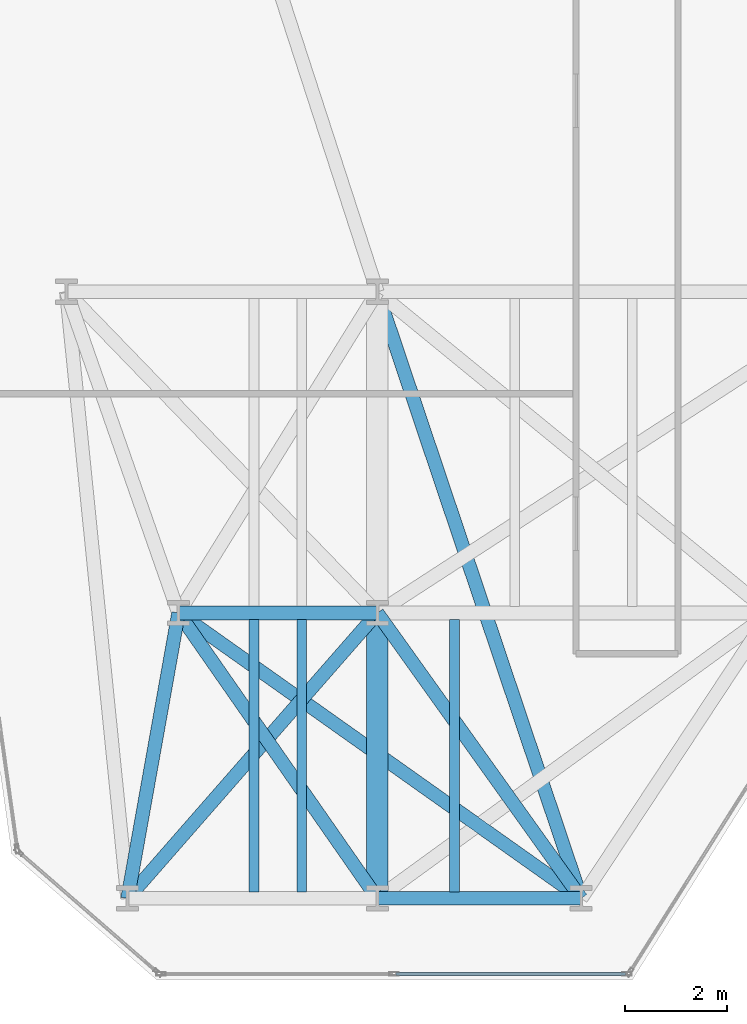
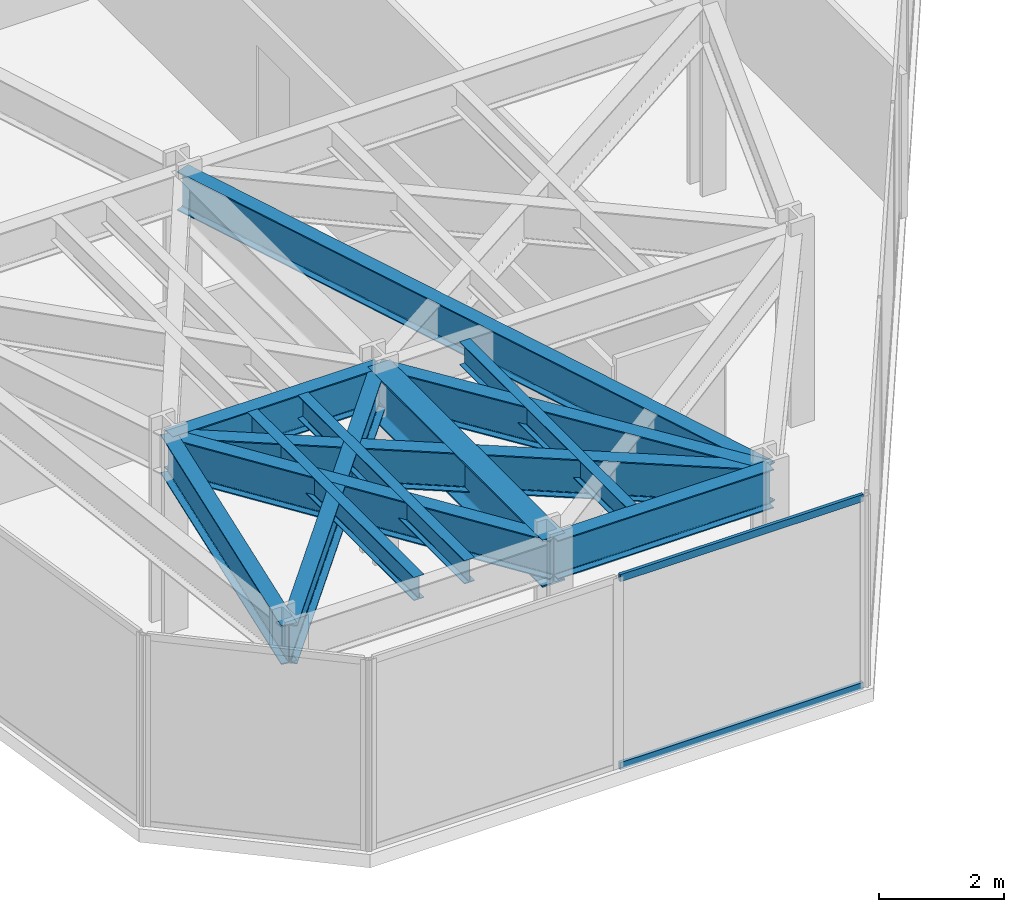
# One storey, part 3 of 24: 12 beams, 2 members, 1 element without a shape of its own.
"""IFC4 building model written with IfcOpenShell, lengths in metres."""

from ifc_helpers import new_model, si_unit, direction, frame, origin, origin_2d, place, context, subcontext, project, spatial, hollow_rectangle, i_section, extrude, material, layer, layer_set, material_profile, profile_set, type_object, element, aggregate, save


model = new_model("IFC4")

# Units and contexts
model_context = context("Model", 3, precision=1e-05, world=origin(), true_north=direction((0.0, 1.0)))
body_context = subcontext(model_context, "Body", "Model", "MODEL_VIEW")
ifc_project = project(units=[si_unit("LENGTHUNIT", "METRE"), si_unit("AREAUNIT", "SQUARE_METRE"), si_unit("VOLUMEUNIT", "CUBIC_METRE"), si_unit("PLANEANGLEUNIT", "RADIAN"), si_unit("MASSUNIT", "GRAM", prefix="KILO")], contexts=[model_context])

# Site, building, storey
site_placement = place(None, origin())
site = spatial("IfcSite", under=ifc_project, at=site_placement, CompositionType="ELEMENT")
building_placement = place(site_placement, origin())
building = spatial("IfcBuilding", under=site, at=building_placement, Name="Kravanh Interchange Tower", CompositionType="ELEMENT")
storey_placement = place(building_placement, frame((0.0, 0.0, 69.5)))
storey = spatial("IfcBuildingStorey", under=building, at=storey_placement, Name="L16", CompositionType="ELEMENT", Elevation=69.5)

# Curtain wall, members
ifc_material_1 = material(Name="Anodised Bronze Aluminium", Category="aluminium")
ifc_layer = layer(ifc_material_1, 0.179931640625)
ifc_layer_set = layer_set([ifc_layer], Name="Unitised Curtain Wall System CW-Z1 Lower Office")
curtain_wall_type = type_object("IfcCurtainWallType", Name="Unitised Curtain Wall System CW-Z1 Lower Office", PredefinedType="NOTDEFINED", material=ifc_layer_set)
curtain_wall_placement = place(storey_placement, origin())
curtain_wall = element("IfcCurtainWall", 1, at=curtain_wall_placement, inside=storey, type_object=curtain_wall_type, Name="L16 Unitised Curtain Wall CW-L16-06", PredefinedType="NOTDEFINED")
ifc_material_2 = material(Name="Anodised Bronze Aluminium", Category="aluminium")
ifc_material_profile_1 = material_profile(ifc_material_2, hollow_rectangle(XDim=0.06005859375, YDim=0.139892578125, WallThickness=0.00390625, at=origin_2d()), Name="ALU60X140X4")
ifc_profile_set_1 = profile_set([ifc_material_profile_1], Name="Anodised Bronze Aluminium")
member_type = type_object("IfcMemberType", Name="Curtain Wall Transom ALU60X140X4 Bronze", PredefinedType="USERDEFINED", material=ifc_profile_set_1)
member_1_placement = place(storey_placement, frame((22.36376953125, 1.1201171875, 0.030029296875), z_axis=(-1.0, 0.0, 0.0), x_axis=(0.0, -1.0, 0.0)))
member_1 = element("IfcMember", 2, at=member_1_placement, type_object=member_type, Name="CW-Z1 transom 1.1", ObjectType="TRANSOM", PredefinedType="USERDEFINED", context=body_context, shape_type="SweptSolid", body=[
    extrude(hollow_rectangle(XDim=0.06005859375, YDim=0.139892578125, WallThickness=0.00390625, at=origin_2d()), origin(), (0.0, 0.0, 1.0), 4.50146484375),
])
member_2_placement = place(storey_placement, frame((22.36376953125, 1.1201171875, 3.7099609375), z_axis=(-1.0, 0.0, 0.0), x_axis=(0.0, -1.0, 0.0)))
member_2 = element("IfcMember", 3, at=member_2_placement, type_object=member_type, Name="CW-Z1 transom 1.2", ObjectType="TRANSOM", PredefinedType="USERDEFINED", context=body_context, shape_type="SweptSolid", body=[
    extrude(hollow_rectangle(XDim=0.06005859375, YDim=0.139892578125, WallThickness=0.00390625, at=origin_2d()), origin(), (0.0, 0.0, 1.0), 4.50146484375),
])
aggregate(curtain_wall, [member_1, member_2])

# Beams
ifc_material_3 = material(Name="Structural Steel S355", Category="steel")
ifc_material_profile_2 = material_profile(ifc_material_3, i_section(OverallWidth=0.41796875, OverallDepth=0.927001953125, WebThickness=0.019287109375, FlangeThickness=0.031982421875, FilletRadius=0.028076171875, at=origin_2d()), Name="W36X231")
ifc_profile_set_2 = profile_set([ifc_material_profile_2], Name="Structural Steel S355")
beam_type_1 = type_object("IfcBeamType", Name="Floor Beam W36X231 Structural Steel S355", PredefinedType="BEAM", material=ifc_profile_set_2)
beam_1_placement = place(storey_placement, frame((17.5, 2.60009765625, 3.276611328125), z_axis=(0.0, 1.0, 0.0), x_axis=(-1.0, 0.0, 0.0)))
element("IfcBeam", 4, at=beam_1_placement, inside=storey, type_object=beam_type_1, Name="L16 Primary Floor Girder 103", PredefinedType="BEAM", context=body_context, shape_type="SweptSolid", body=[
    extrude(i_section(OverallWidth=0.41796875, OverallDepth=0.927001953125, WebThickness=0.019287109375, FlangeThickness=0.031982421875, FilletRadius=0.028076171875, at=origin_2d()), origin(), (0.0, 0.0, 1.0), 5.599853515625),
])
ifc_material_4 = material(Name="Structural Steel S355", Category="steel")
ifc_material_profile_3 = material_profile(ifc_material_4, i_section(OverallWidth=0.18994140625, OverallDepth=0.45703125, WebThickness=0.009033203125, FlangeThickness=0.014404296875, FilletRadius=0.01806640625, at=origin_2d()), Name="W18X50")
ifc_profile_set_3 = profile_set([ifc_material_profile_3], Name="Structural Steel S355")
beam_type_2 = type_object("IfcBeamType", Name="Floor Joist W18X50 Structural Steel S355", PredefinedType="JOIST", material=ifc_profile_set_3)
for number, where, z_axis, x_axis, name in (
    (5, (15.08203125, 2.728515625, 3.511474609375), (0.0, 1.0, 0.0), (-1.0, 0.0, 0.0), "L16 Secondary Floor Joist 1"),
    (6, (16.01806640625, 2.728515625, 3.511474609375), (0.0, 1.0, 0.0), (-1.0, 0.0, 0.0), "L16 Secondary Floor Joist 2"),
    (7, (19.013916015625, 2.728515625, 3.511474609375), (0.0, 1.0, 0.0), (-1.0, 0.0, 0.0), "L16 Secondary Floor Joist 3"),
):
    element("IfcBeam", number, at=place(storey_placement, frame(where, z_axis=z_axis, x_axis=x_axis)), inside=storey, type_object=beam_type_2, Name=name, PredefinedType="JOIST", context=body_context, shape_type="SweptSolid", body=[
        extrude(i_section(OverallWidth=0.18994140625, OverallDepth=0.45703125, WebThickness=0.009033203125, FlangeThickness=0.014404296875, FilletRadius=0.01806640625, at=origin_2d()), origin(), (0.0, 0.0, 1.0), 5.343017578125),
    ])
ifc_material_5 = material(Name="Structural Steel S355", Category="steel")
ifc_material_profile_4 = material_profile(ifc_material_5, i_section(OverallWidth=0.26708984375, OverallDepth=0.761962890625, WebThickness=0.014404296875, FlangeThickness=0.021484375, FilletRadius=0.02490234375, at=origin_2d()), Name="W30X116")
ifc_profile_set_4 = profile_set([ifc_material_profile_4], Name="Structural Steel S355")
beam_type_3 = type_object("IfcBeamType", Name="Floor Spandrel W30X116 Structural Steel S355", PredefinedType="SPANDREL", material=ifc_profile_set_4)
beam_2_placement = place(storey_placement, frame((12.60009765625, 2.60009765625, 3.35888671875), z_axis=(0.175795094814, 0.984426779725, 0.0), x_axis=(-0.984426779725, 0.175795094814, 0.0)))
element("IfcBeam", 8, at=beam_2_placement, inside=storey, type_object=beam_type_3, Name="L16 Perimeter Spandrel 39", PredefinedType="SPANDREL", context=body_context, shape_type="SweptSolid", body=[
    extrude(i_section(OverallWidth=0.26708984375, OverallDepth=0.761962890625, WebThickness=0.014404296875, FlangeThickness=0.021484375, FilletRadius=0.02490234375, at=origin_2d()), origin(), (0.0, 0.0, 1.0), 5.6884765625),
])
beam_3_placement = place(storey_placement, frame((12.60009765625, 2.60009765625, 3.35888671875), z_axis=(0.658506930733, 0.752574662194, 0.0), x_axis=(-0.752574662194, 0.658506930733, 0.0)))
element("IfcBeam", 9, at=beam_3_placement, inside=storey, type_object=beam_type_3, Name="L16 Perimeter Spandrel 40", PredefinedType="SPANDREL", context=body_context, shape_type="SweptSolid", body=[
    extrude(i_section(OverallWidth=0.26708984375, OverallDepth=0.761962890625, WebThickness=0.014404296875, FlangeThickness=0.021484375, FilletRadius=0.02490234375, at=origin_2d()), origin(), (0.0, 0.0, 1.0), 7.44091796875),
])
beam_4_placement = place(storey_placement, frame((17.5, 2.60009765625, 3.35888671875), z_axis=(1.0, 0.0, 0.0), x_axis=(0.0, 1.0, 0.0)))
element("IfcBeam", 10, at=beam_4_placement, inside=storey, type_object=beam_type_3, Name="L16 Perimeter Spandrel 102", PredefinedType="SPANDREL", context=body_context, shape_type="SweptSolid", body=[
    extrude(i_section(OverallWidth=0.26708984375, OverallDepth=0.761962890625, WebThickness=0.014404296875, FlangeThickness=0.021484375, FilletRadius=0.02490234375, at=origin_2d()), origin(), (0.0, 0.0, 1.0), 4.0),
])
beam_5_placement = place(storey_placement, frame((17.5, 2.60009765625, 3.35888671875), z_axis=(-0.571494183969, 0.820606116045, 0.0), x_axis=(-0.820606116045, -0.571494183969, 0.0)))
element("IfcBeam", 11, at=beam_5_placement, inside=storey, type_object=beam_type_3, Name="L16 Perimeter Spandrel 104", PredefinedType="SPANDREL", context=body_context, shape_type="SweptSolid", body=[
    extrude(i_section(OverallWidth=0.26708984375, OverallDepth=0.761962890625, WebThickness=0.014404296875, FlangeThickness=0.021484375, FilletRadius=0.02490234375, at=origin_2d()), origin(), (0.0, 0.0, 1.0), 6.823974609375),
])
beam_6_placement = place(storey_placement, frame((21.5, 2.60009765625, 3.35888671875), z_axis=(-0.581248261352, 0.813726279946, 0.0), x_axis=(-0.813726279946, -0.581248261352, 0.0)))
element("IfcBeam", 12, at=beam_6_placement, inside=storey, type_object=beam_type_3, Name="L16 Perimeter Spandrel 122", PredefinedType="SPANDREL", context=body_context, shape_type="SweptSolid", body=[
    extrude(i_section(OverallWidth=0.26708984375, OverallDepth=0.761962890625, WebThickness=0.014404296875, FlangeThickness=0.021484375, FilletRadius=0.02490234375, at=origin_2d()), origin(), (0.0, 0.0, 1.0), 6.8818359375),
])
beam_7_placement = place(storey_placement, frame((21.5, 2.60009765625, 3.35888671875), z_axis=(-0.815825239527, 0.578298520274, 0.0), x_axis=(-0.578298520274, -0.815825239527, 0.0)))
element("IfcBeam", 13, at=beam_7_placement, inside=storey, type_object=beam_type_3, Name="L16 Perimeter Spandrel 123", PredefinedType="SPANDREL", context=body_context, shape_type="SweptSolid", body=[
    extrude(i_section(OverallWidth=0.26708984375, OverallDepth=0.761962890625, WebThickness=0.014404296875, FlangeThickness=0.021484375, FilletRadius=0.02490234375, at=origin_2d()), origin(), (0.0, 0.0, 1.0), 9.683349609375),
])
beam_8_placement = place(storey_placement, frame((21.5, 2.60009765625, 3.35888671875), z_axis=(-0.318618734989, 0.947882957814, 0.0), x_axis=(-0.947882957814, -0.318618734989, 0.0)))
element("IfcBeam", 14, at=beam_8_placement, inside=storey, type_object=beam_type_3, Name="L16 Perimeter Spandrel 124", PredefinedType="SPANDREL", context=body_context, shape_type="SweptSolid", body=[
    extrude(i_section(OverallWidth=0.26708984375, OverallDepth=0.761962890625, WebThickness=0.014404296875, FlangeThickness=0.021484375, FilletRadius=0.02490234375, at=origin_2d()), origin(), (0.0, 0.0, 1.0), 12.55419921875),
])
beam_9_placement = place(storey_placement, frame((13.60009765625, 8.199951171875, 3.35888671875), z_axis=(1.0, 0.0, 0.0), x_axis=(0.0, 1.0, 0.0)))
element("IfcBeam", 15, at=beam_9_placement, inside=storey, type_object=beam_type_3, Name="L16 Perimeter Spandrel 133", PredefinedType="SPANDREL", context=body_context, shape_type="SweptSolid", body=[
    extrude(i_section(OverallWidth=0.26708984375, OverallDepth=0.761962890625, WebThickness=0.014404296875, FlangeThickness=0.021484375, FilletRadius=0.02490234375, at=origin_2d()), origin(), (0.0, 0.0, 1.0), 3.89990234375),
])

save(model, "model.ifc")
